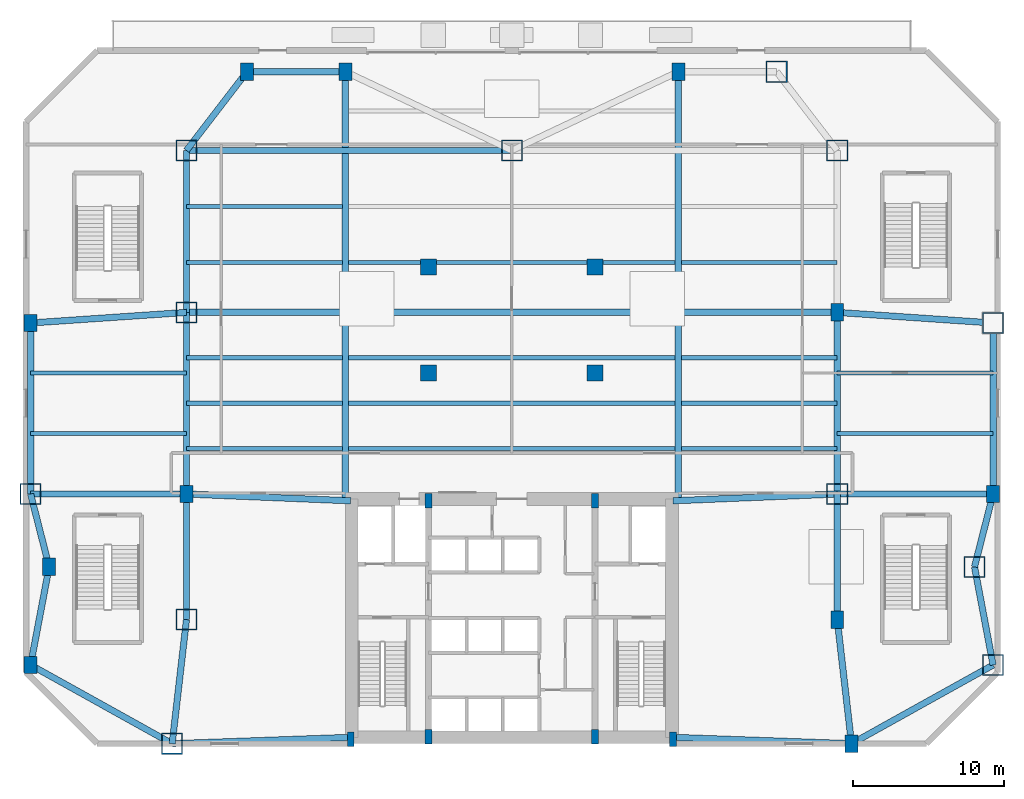
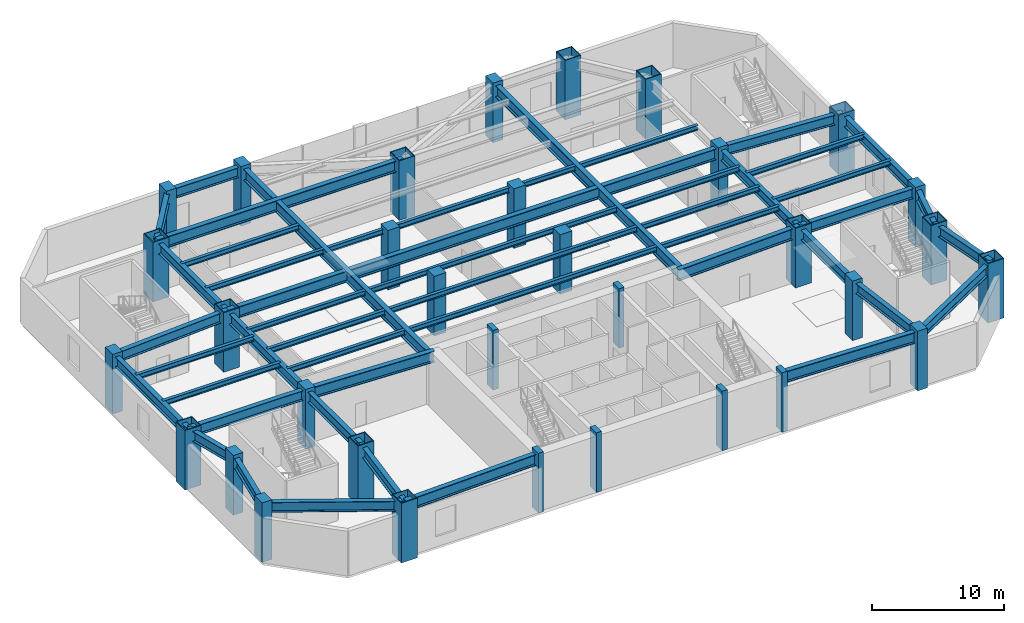
# One storey, part 1 of 9: 46 beams, 33 columns.
"""IFC4 building model written with IfcOpenShell, lengths in metres."""

from ifc_helpers import new_model, si_unit, direction, frame, origin, origin_2d, place, context, subcontext, project, spatial, rectangle, hollow_rectangle, i_section, extrude, source, transform, mapped, material, material_profile, profile_set, type_object, type_shapes, element, save


model = new_model("IFC4")

# Units and contexts
model_context = context("Model", 3, precision=1e-05, world=origin(), true_north=direction((0.0, 1.0)))
body_context = subcontext(model_context, "Body", "Model", "MODEL_VIEW")
ifc_project = project(units=[si_unit("LENGTHUNIT", "METRE"), si_unit("AREAUNIT", "SQUARE_METRE"), si_unit("VOLUMEUNIT", "CUBIC_METRE"), si_unit("PLANEANGLEUNIT", "RADIAN"), si_unit("MASSUNIT", "GRAM", prefix="KILO")], contexts=[model_context])

# Site, building, storey
site_placement = place(None, origin())
site = spatial("IfcSite", under=ifc_project, at=site_placement, CompositionType="ELEMENT")
building_placement = place(site_placement, origin())
building = spatial("IfcBuilding", under=site, at=building_placement, Name="Varnakhor Terracotta Tower", CompositionType="ELEMENT")
storey_placement = place(building_placement, frame((0.0, 0.0, 11.0)))
storey = spatial("IfcBuildingStorey", under=building, at=storey_placement, Name="L02", CompositionType="ELEMENT", Elevation=11.0)

# Columns
ifc_material_1 = material(Name="Concrete C50/60", Category="concrete")
ifc_material_profile_1 = material_profile(ifc_material_1, rectangle(XDim=0.449951171875, YDim=0.949951171875, at=origin_2d()), Name="RC PILASTER 950x450")
ifc_profile_set_1 = profile_set([ifc_material_profile_1], Name="Concrete C50/60")
column_type_1 = type_object("IfcColumnType", Name="COL-PIL-950x450", PredefinedType="PILASTER", material=ifc_profile_set_1)
shared_shape_1 = source(origin(), body_context, "Body", "SweptSolid", [
    extrude(rectangle(XDim=0.449951171875, YDim=0.949951171875, at=origin_2d()), origin(), (0.0, 0.0, 1.0), 5.5),
])
for number, where, z_axis, x_axis, name in (
    (1, (-10.64990234375, 0.300048828125, 0.0), (0.0, 0.0, 1.0), (1.0, 0.0, 0.0), "L02 Core Pilaster CP1"),
    (2, (-5.5, 0.449951171875, 0.0), (0.0, 0.0, 1.0), (1.0, 0.0, 0.0), "L02 Core Pilaster CP2"),
    (3, (5.5, 0.449951171875, 0.0), (0.0, 0.0, 1.0), (1.0, 0.0, 0.0), "L02 Core Pilaster CP3"),
    (4, (10.64990234375, 0.300048828125, 0.0), (0.0, 0.0, 1.0), (1.0, 0.0, 0.0), "L02 Core Pilaster CP4"),
    (5, (-5.5, 16.050048828125, 0.0), (0.0, 0.0, 1.0), (1.0, 0.0, 0.0), "L02 Core Pilaster CP5"),
    (6, (5.5, 16.050048828125, 0.0), (0.0, 0.0, 1.0), (1.0, 0.0, 0.0), "L02 Core Pilaster CP6"),
):
    element("IfcColumn", number, at=place(storey_placement, frame(where, z_axis=z_axis, x_axis=x_axis)), inside=storey, type_object=column_type_1, Name=name, PredefinedType="PILASTER", context=body_context, shape_type="MappedRepresentation", body=[
        mapped(shared_shape_1, transform((0.0, 0.0, 0.0), scale=1.0)),
    ])
ifc_material_2 = material(Name="Concrete C60/75", Category="concrete")
ifc_material_profile_2 = material_profile(ifc_material_2, rectangle(XDim=1.050048828125, YDim=1.050048828125, at=origin_2d()), Name="RC 1050x1050")
ifc_profile_set_2 = profile_set([ifc_material_profile_2], Name="Concrete C60/75")
column_type_2 = type_object("IfcColumnType", Name="COL-RC-1050", PredefinedType="COLUMN", material=ifc_profile_set_2)
shared_shape_2 = source(origin(), body_context, "Body", "SweptSolid", [
    extrude(rectangle(XDim=1.050048828125, YDim=1.050048828125, at=origin_2d()), origin(), (0.0, 0.0, 1.0), 5.5),
])
type_shapes(column_type_2, [shared_shape_2])
for number, where, z_axis, x_axis, name in (
    (7, (-5.5, 24.5, 0.0), (0.0, 0.0, 1.0), (1.0, 0.0, 0.0), "L02 Interior Plumb Tower Column I1"),
    (8, (5.5, 24.5, 0.0), (0.0, 0.0, 1.0), (1.0, 0.0, 0.0), "L02 Interior Plumb Tower Column I2"),
    (9, (-5.5, 31.5, 0.0), (0.0, 0.0, 1.0), (1.0, 0.0, 0.0), "L02 Interior Plumb Tower Column I3"),
    (10, (5.5, 31.5, 0.0), (0.0, 0.0, 1.0), (1.0, 0.0, 0.0), "L02 Interior Plumb Tower Column I4"),
):
    element("IfcColumn", number, at=place(storey_placement, frame(where, z_axis=z_axis, x_axis=x_axis)), inside=storey, type_object=column_type_2, Name=name, PredefinedType="COLUMN", context=body_context, shape_type="MappedRepresentation", body=[
        mapped(shared_shape_2, transform((0.0, 0.0, 0.0), scale=1.0)),
    ])
ifc_material_3 = material(Name="Steel S460", Category="steel")
ifc_material_profile_3 = material_profile(ifc_material_3, hollow_rectangle(XDim=1.39990234375, YDim=1.39990234375, WallThickness=0.070068359375, at=origin_2d()), Name="BOX 1400x1400x70")
ifc_profile_set_3 = profile_set([ifc_material_profile_3], Name="Steel S460")
column_type_3 = type_object("IfcColumnType", Name="COL-MEGA-1400", PredefinedType="COLUMN", material=ifc_profile_set_3)
shared_shape_3 = source(origin(), body_context, "Body", "SweptSolid", [
    extrude(hollow_rectangle(XDim=1.39990234375, YDim=1.39990234375, WallThickness=0.070068359375, at=origin_2d()), origin(), (0.0, 0.0, 1.0), 5.5),
])
for number, where, z_axis, x_axis, name in (
    (11, (-22.446044921875, 0.0, 0.0), (0.0, 0.0, 1.0), (1.0, 0.0, 0.0), "L02 Podium Column PC01"),
    (12, (-21.5, 8.199951171875, 0.0), (0.0, 0.0, 1.0), (1.0, 0.0, 0.0), "L02 Podium Column PC03"),
    (13, (-31.800048828125, 16.5, 0.0), (0.0, 0.0, 1.0), (1.0, 0.0, 0.0), "L02 Podium Column PC05"),
    (14, (-21.5, 28.5, 0.0), (0.0, 0.0, 1.0), (1.0, 0.0, 0.0), "L02 Podium Column PC07"),
    (15, (-21.5, 39.199951171875, 0.0), (0.0, 0.0, 1.0), (1.0, 0.0, 0.0), "L02 Podium Column PC09"),
    (16, (0.0, 39.199951171875, 0.0), (0.0, 0.0, 1.0), (1.0, 0.0, 0.0), "L02 Podium Column PC11"),
    (17, (21.5, 39.199951171875, 0.0), (0.0, 0.0, 1.0), (1.0, 0.0, 0.0), "L02 Podium Column PC13"),
    (18, (21.5, 16.5, 0.0), (0.0, 0.0, 1.0), (1.0, 0.0, 0.0), "L02 Podium Column PC15"),
    (19, (31.800048828125, 5.199951171875, 0.0), (0.0, 0.0, 1.0), (1.0, 0.0, 0.0), "L02 Podium Column PC17"),
    (20, (31.800048828125, 27.800048828125, 0.0), (0.0, 0.0, 1.0), (1.0, 0.0, 0.0), "L02 Podium Column PC19"),
    (21, (17.5, 44.39990234375, 0.0), (0.0, 0.0, 1.0), (1.0, 0.0, 0.0), "L02 Podium Column PC21"),
    (22, (30.572998046875, 11.68701171875, 0.0), (0.0, 0.0, 1.0), (1.0, 0.0, 0.0), "L02 Podium Column PC23"),
):
    element("IfcColumn", number, at=place(storey_placement, frame(where, z_axis=z_axis, x_axis=x_axis)), inside=storey, type_object=column_type_3, Name=name, PredefinedType="COLUMN", context=body_context, shape_type="MappedRepresentation", body=[
        mapped(shared_shape_3, transform((0.0, 0.0, 0.0), scale=1.0)),
    ])
ifc_material_profile_4 = material_profile(ifc_material_2, rectangle(XDim=0.85009765625, YDim=1.14990234375, at=origin_2d()), Name="RC 1150x850")
ifc_profile_set_4 = profile_set([ifc_material_profile_4], Name="Concrete C60/75")
column_type_4 = type_object("IfcColumnType", Name="COL-RC-1150x850", PredefinedType="COLUMN", material=ifc_profile_set_4)
shared_shape_4 = source(origin(), body_context, "Body", "SweptSolid", [
    extrude(rectangle(XDim=0.85009765625, YDim=1.14990234375, at=origin_2d()), origin(), (0.0, 0.0, 1.0), 5.5),
])
for number, where, z_axis, x_axis, name in (
    (23, (22.446044921875, 0.0, 0.0), (0.0, 0.0, 1.0), (1.0, 0.0, 0.0), "L02 Podium Column PC02"),
    (24, (21.5, 8.199951171875, 0.0), (0.0, 0.0, 1.0), (1.0, 0.0, 0.0), "L02 Podium Column PC04"),
    (25, (31.800048828125, 16.5, 0.0), (0.0, 0.0, 1.0), (1.0, 0.0, 0.0), "L02 Podium Column PC06"),
    (26, (21.5, 28.5, 0.0), (0.0, 0.0, 1.0), (1.0, 0.0, 0.0), "L02 Podium Column PC08"),
    (27, (-11.0, 44.39990234375, 0.0), (0.0, 0.0, 1.0), (1.0, 0.0, 0.0), "L02 Podium Column PC10"),
    (28, (11.0, 44.39990234375, 0.0), (0.0, 0.0, 1.0), (1.0, 0.0, 0.0), "L02 Podium Column PC12"),
    (29, (-21.5, 16.5, 0.0), (0.0, 0.0, 1.0), (1.0, 0.0, 0.0), "L02 Podium Column PC14"),
    (30, (-31.800048828125, 5.199951171875, 0.0), (0.0, 0.0, 1.0), (1.0, 0.0, 0.0), "L02 Podium Column PC16"),
    (31, (-31.800048828125, 27.800048828125, 0.0), (0.0, 0.0, 1.0), (1.0, 0.0, 0.0), "L02 Podium Column PC18"),
    (32, (-17.5, 44.39990234375, 0.0), (0.0, 0.0, 1.0), (1.0, 0.0, 0.0), "L02 Podium Column PC20"),
    (33, (-30.572998046875, 11.68701171875, 0.0), (0.0, 0.0, 1.0), (1.0, 0.0, 0.0), "L02 Podium Column PC22"),
):
    element("IfcColumn", number, at=place(storey_placement, frame(where, z_axis=z_axis, x_axis=x_axis)), inside=storey, type_object=column_type_4, Name=name, PredefinedType="COLUMN", context=body_context, shape_type="MappedRepresentation", body=[
        mapped(shared_shape_4, transform((0.0, 0.0, 0.0), scale=1.0)),
    ])

# Beams
ifc_material_4 = material(Name="Steel S355", Category="steel")
ifc_material_profile_5 = material_profile(ifc_material_4, i_section(OverallWidth=0.41796875, OverallDepth=0.927001953125, WebThickness=0.01904296875, FlangeThickness=0.031982421875, FilletRadius=0.01806640625, at=origin_2d()), Name="W36X231")
ifc_profile_set_5 = profile_set([ifc_material_profile_5], Name="Steel S355")
beam_type_1 = type_object("IfcBeamType", Name="BM-W36X231", PredefinedType="BEAM", material=ifc_profile_set_5)
shared_shape_5 = source(origin(), body_context, "Body", "SweptSolid", [
    extrude(i_section(OverallWidth=0.41796875, OverallDepth=0.927001953125, WebThickness=0.01904296875, FlangeThickness=0.031982421875, FilletRadius=0.01806640625, at=origin_2d()), origin(), (0.0, 0.0, 1.0), 8.25439453125),
])
type_shapes(beam_type_1, [shared_shape_5])
for number, where, z_axis, x_axis, name in (
    (34, (-22.446044921875, 0.0, 4.721435546875), (0.114611758944, 0.993410360683, 0.0), (-0.993410360683, 0.114611758944, 0.0), "L02 Podium Ring Girder 1"),
    (35, (21.5, 8.199951171875, 4.721435546875), (0.114611758944, -0.993410360683, 0.0), (0.993410360683, 0.114611758944, 0.0), "L02 Podium Ring Girder 14"),
):
    element("IfcBeam", number, at=place(storey_placement, frame(where, z_axis=z_axis, x_axis=x_axis)), inside=storey, type_object=beam_type_1, Name=name, PredefinedType="BEAM", context=body_context, shape_type="MappedRepresentation", body=[
        mapped(shared_shape_5, transform((0.0, 0.0, 0.0), scale=1.0)),
    ])
shared_shape_6 = source(origin(), body_context, "Body", "SweptSolid", [
    extrude(i_section(OverallWidth=0.41796875, OverallDepth=0.927001953125, WebThickness=0.01904296875, FlangeThickness=0.031982421875, FilletRadius=0.01806640625, at=origin_2d()), origin(), (0.0, 0.0, 1.0), 8.300048828125),
])
for number, where, z_axis, x_axis, name in (
    (36, (-21.5, 8.199951171875, 4.721435546875), (0.0, 1.0, 0.0), (-1.0, 0.0, 0.0), "L02 Podium Ring Girder 2"),
    (37, (21.5, 16.5, 4.721435546875), (0.0, -1.0, 0.0), (1.0, 0.0, 0.0), "L02 Podium Ring Girder 13"),
):
    element("IfcBeam", number, at=place(storey_placement, frame(where, z_axis=z_axis, x_axis=x_axis)), inside=storey, type_object=beam_type_1, Name=name, PredefinedType="BEAM", context=body_context, shape_type="MappedRepresentation", body=[
        mapped(shared_shape_6, transform((0.0, 0.0, 0.0), scale=1.0)),
    ])
shared_shape_7 = source(origin(), body_context, "Body", "SweptSolid", [
    extrude(i_section(OverallWidth=0.41796875, OverallDepth=0.927001953125, WebThickness=0.01904296875, FlangeThickness=0.031982421875, FilletRadius=0.01806640625, at=origin_2d()), origin(), (0.0, 0.0, 1.0), 12.0),
])
for number, where, z_axis, x_axis, name in (
    (38, (-21.5, 16.5, 4.721435546875), (0.0, 1.0, 0.0), (-1.0, 0.0, 0.0), "L02 Podium Ring Girder 3"),
    (39, (21.5, 28.5, 4.721435546875), (0.0, -1.0, 0.0), (1.0, 0.0, 0.0), "L02 Podium Ring Girder 12"),
):
    element("IfcBeam", number, at=place(storey_placement, frame(where, z_axis=z_axis, x_axis=x_axis)), inside=storey, type_object=beam_type_1, Name=name, PredefinedType="BEAM", context=body_context, shape_type="MappedRepresentation", body=[
        mapped(shared_shape_7, transform((0.0, 0.0, 0.0), scale=1.0)),
    ])
shared_shape_8 = source(origin(), body_context, "Body", "SweptSolid", [
    extrude(i_section(OverallWidth=0.41796875, OverallDepth=0.927001953125, WebThickness=0.01904296875, FlangeThickness=0.031982421875, FilletRadius=0.01806640625, at=origin_2d()), origin(), (0.0, 0.0, 1.0), 10.699951171875),
])
beam_1_placement = place(storey_placement, frame((-21.5, 28.5, 4.721435546875), z_axis=(0.0, 1.0, 0.0), x_axis=(-1.0, 0.0, 0.0)))
element("IfcBeam", 40, at=beam_1_placement, inside=storey, type_object=beam_type_1, Name="L02 Podium Ring Girder 4", PredefinedType="BEAM", context=body_context, shape_type="MappedRepresentation", body=[
    mapped(shared_shape_8, transform((0.0, 0.0, 0.0), scale=1.0)),
])
shared_shape_9 = source(origin(), body_context, "Body", "SweptSolid", [
    extrude(i_section(OverallWidth=0.41796875, OverallDepth=0.927001953125, WebThickness=0.01904296875, FlangeThickness=0.031982421875, FilletRadius=0.01806640625, at=origin_2d()), origin(), (0.0, 0.0, 1.0), 6.560546875),
])
beam_2_placement = place(storey_placement, frame((-21.5, 39.199951171875, 4.721435546875), z_axis=(0.609714357737, 0.792621222255, 0.0), x_axis=(-0.792621222255, 0.609714357737, 0.0)))
element("IfcBeam", 41, at=beam_2_placement, inside=storey, type_object=beam_type_1, Name="L02 Podium Ring Girder 5", PredefinedType="BEAM", context=body_context, shape_type="MappedRepresentation", body=[
    mapped(shared_shape_9, transform((0.0, 0.0, 0.0), scale=1.0)),
])
shared_shape_10 = source(origin(), body_context, "Body", "SweptSolid", [
    extrude(i_section(OverallWidth=0.41796875, OverallDepth=0.927001953125, WebThickness=0.01904296875, FlangeThickness=0.031982421875, FilletRadius=0.01806640625, at=origin_2d()), origin(), (0.0, 0.0, 1.0), 6.5),
])
beam_3_placement = place(storey_placement, frame((-17.5, 44.39990234375, 4.721435546875), z_axis=(1.0, 0.0, 0.0), x_axis=(0.0, 1.0, 0.0)))
element("IfcBeam", 42, at=beam_3_placement, inside=storey, type_object=beam_type_1, Name="L02 Podium Ring Girder 6", PredefinedType="BEAM", context=body_context, shape_type="MappedRepresentation", body=[
    mapped(shared_shape_10, transform((0.0, 0.0, 0.0), scale=1.0)),
])
shared_shape_11 = source(origin(), body_context, "Body", "SweptSolid", [
    extrude(i_section(OverallWidth=0.41796875, OverallDepth=0.927001953125, WebThickness=0.01904296875, FlangeThickness=0.031982421875, FilletRadius=0.01806640625, at=origin_2d()), origin(), (0.0, 0.0, 1.0), 10.7021484375),
])
for number, where, z_axis, x_axis, name in (
    (43, (-22.446044921875, 0.0, 4.721435546875), (-0.874027042936, 0.485877276909, 0.0), (-0.485877276909, -0.874027042936, 0.0), "L02 Podium Wing Girder OW1"),
    (44, (22.446044921875, 0.0, 4.721435546875), (0.874027042936, 0.485877276909, 0.0), (-0.485877276909, 0.874027042936, 0.0), "L02 Podium Wing Girder OE1"),
):
    element("IfcBeam", number, at=place(storey_placement, frame(where, z_axis=z_axis, x_axis=x_axis)), inside=storey, type_object=beam_type_1, Name=name, PredefinedType="BEAM", context=body_context, shape_type="MappedRepresentation", body=[
        mapped(shared_shape_11, transform((0.0, 0.0, 0.0), scale=1.0)),
    ])
shared_shape_12 = source(origin(), body_context, "Body", "SweptSolid", [
    extrude(i_section(OverallWidth=0.41796875, OverallDepth=0.927001953125, WebThickness=0.01904296875, FlangeThickness=0.031982421875, FilletRadius=0.01806640625, at=origin_2d()), origin(), (0.0, 0.0, 1.0), 6.60205078125),
])
for number, where, z_axis, x_axis, name in (
    (45, (-31.800048828125, 5.199951171875, 4.721435546875), (0.185857896361, 0.982576634345, 0.0), (-0.982576634345, 0.185857896361, 0.0), "L02 Podium Wing Girder OW2A"),
    (46, (31.800048828125, 5.199951171875, 4.721435546875), (-0.185857896361, 0.982576634345, 0.0), (-0.982576634345, -0.185857896361, 0.0), "L02 Podium Wing Girder OE2A"),
):
    element("IfcBeam", number, at=place(storey_placement, frame(where, z_axis=z_axis, x_axis=x_axis)), inside=storey, type_object=beam_type_1, Name=name, PredefinedType="BEAM", context=body_context, shape_type="MappedRepresentation", body=[
        mapped(shared_shape_12, transform((0.0, 0.0, 0.0), scale=1.0)),
    ])
shared_shape_13 = source(origin(), body_context, "Body", "SweptSolid", [
    extrude(i_section(OverallWidth=0.41796875, OverallDepth=0.927001953125, WebThickness=0.01904296875, FlangeThickness=0.031982421875, FilletRadius=0.01806640625, at=origin_2d()), origin(), (0.0, 0.0, 1.0), 4.967041015625),
])
for number, where, z_axis, x_axis, name in (
    (47, (-30.572998046875, 11.68701171875, 4.721435546875), (-0.247043524216, 0.969004384481, 0.0), (-0.969004384481, -0.247043524216, 0.0), "L02 Podium Wing Girder OW2B"),
    (48, (30.572998046875, 11.68701171875, 4.721435546875), (0.247043524216, 0.969004384481, 0.0), (-0.969004384481, 0.247043524216, 0.0), "L02 Podium Wing Girder OE2B"),
):
    element("IfcBeam", number, at=place(storey_placement, frame(where, z_axis=z_axis, x_axis=x_axis)), inside=storey, type_object=beam_type_1, Name=name, PredefinedType="BEAM", context=body_context, shape_type="MappedRepresentation", body=[
        mapped(shared_shape_13, transform((0.0, 0.0, 0.0), scale=1.0)),
    ])
shared_shape_14 = source(origin(), body_context, "Body", "SweptSolid", [
    extrude(i_section(OverallWidth=0.41796875, OverallDepth=0.927001953125, WebThickness=0.01904296875, FlangeThickness=0.031982421875, FilletRadius=0.01806640625, at=origin_2d()), origin(), (0.0, 0.0, 1.0), 11.300048828125),
])
for number, where, z_axis, x_axis, name in (
    (49, (-31.800048828125, 16.5, 4.721435546875), (0.0, 1.0, 0.0), (-1.0, 0.0, 0.0), "L02 Podium Wing Girder OW3"),
    (50, (31.800048828125, 16.5, 4.721435546875), (0.0, 1.0, 0.0), (-1.0, 0.0, 0.0), "L02 Podium Wing Girder OE3"),
):
    element("IfcBeam", number, at=place(storey_placement, frame(where, z_axis=z_axis, x_axis=x_axis)), inside=storey, type_object=beam_type_1, Name=name, PredefinedType="BEAM", context=body_context, shape_type="MappedRepresentation", body=[
        mapped(shared_shape_14, transform((0.0, 0.0, 0.0), scale=1.0)),
    ])
shared_shape_15 = source(origin(), body_context, "Body", "SweptSolid", [
    extrude(i_section(OverallWidth=0.41796875, OverallDepth=0.927001953125, WebThickness=0.01904296875, FlangeThickness=0.031982421875, FilletRadius=0.01806640625, at=origin_2d()), origin(), (0.0, 0.0, 1.0), 10.300048828125),
])
for number, where, z_axis, x_axis, name in (
    (51, (-21.5, 16.5, 4.721435546875), (-1.0, 0.0, 0.0), (0.0, -1.0, 0.0), "L02 Podium Wing Girder OW4"),
    (52, (21.5, 16.5, 4.721435546875), (1.0, 0.0, 0.0), (0.0, 1.0, 0.0), "L02 Podium Wing Girder OE4"),
):
    element("IfcBeam", number, at=place(storey_placement, frame(where, z_axis=z_axis, x_axis=x_axis)), inside=storey, type_object=beam_type_1, Name=name, PredefinedType="BEAM", context=body_context, shape_type="MappedRepresentation", body=[
        mapped(shared_shape_15, transform((0.0, 0.0, 0.0), scale=1.0)),
    ])
shared_shape_16 = source(origin(), body_context, "Body", "SweptSolid", [
    extrude(i_section(OverallWidth=0.41796875, OverallDepth=0.927001953125, WebThickness=0.01904296875, FlangeThickness=0.031982421875, FilletRadius=0.01806640625, at=origin_2d()), origin(), (0.0, 0.0, 1.0), 10.32373046875),
])
for number, where, z_axis, x_axis, name in (
    (53, (-21.5, 28.5, 4.721435546875), (-0.997698950759, -0.067799731964, 0.0), (0.067799731964, -0.997698950759, 0.0), "L02 Podium Wing Girder OW5"),
    (54, (21.5, 28.5, 4.721435546875), (0.997698950759, -0.067799731964, 0.0), (0.067799731964, 0.997698950759, 0.0), "L02 Podium Wing Girder OE5"),
):
    element("IfcBeam", number, at=place(storey_placement, frame(where, z_axis=z_axis, x_axis=x_axis)), inside=storey, type_object=beam_type_1, Name=name, PredefinedType="BEAM", context=body_context, shape_type="MappedRepresentation", body=[
        mapped(shared_shape_16, transform((0.0, 0.0, 0.0), scale=1.0)),
    ])
ifc_material_profile_6 = material_profile(ifc_material_3, i_section(OverallWidth=0.419921875, OverallDepth=1.0400390625, WebThickness=0.031005859375, FlangeThickness=0.055908203125, FilletRadius=0.01806640625, at=origin_2d()), Name="W40X397")
ifc_profile_set_6 = profile_set([ifc_material_profile_6], Name="Steel S460")
beam_type_2 = type_object("IfcBeamType", Name="BM-W40X397", PredefinedType="BEAM", material=ifc_profile_set_6)
shared_shape_17 = source(origin(), body_context, "Body", "SweptSolid", [
    extrude(i_section(OverallWidth=0.419921875, OverallDepth=1.0400390625, WebThickness=0.031005859375, FlangeThickness=0.055908203125, FilletRadius=0.01806640625, at=origin_2d()), origin(), (0.0, 0.0, 1.0), 11.8037109375),
])
type_shapes(beam_type_2, [shared_shape_17])
for number, where, z_axis, x_axis, name in (
    (55, (-22.446044921875, 0.0, 4.6650390625), (0.999366984345, 0.035575702404, 0.0), (-0.035575702404, 0.999366984345, 0.0), "L02 Podium Primary Girder GW1"),
    (56, (10.64990234375, 0.419921875, 4.6650390625), (0.999366984345, -0.035575702404, 0.0), (0.035575702404, 0.999366984345, 0.0), "L02 Podium Primary Girder GE1"),
):
    element("IfcBeam", number, at=place(storey_placement, frame(where, z_axis=z_axis, x_axis=x_axis)), inside=storey, type_object=beam_type_2, Name=name, PredefinedType="BEAM", context=body_context, shape_type="MappedRepresentation", body=[
        mapped(shared_shape_17, transform((0.0, 0.0, 0.0), scale=1.0)),
    ])
shared_shape_18 = source(origin(), body_context, "Body", "SweptSolid", [
    extrude(i_section(OverallWidth=0.419921875, OverallDepth=1.0400390625, WebThickness=0.031005859375, FlangeThickness=0.055908203125, FilletRadius=0.01806640625, at=origin_2d()), origin(), (0.0, 0.0, 1.0), 10.859375),
])
for number, where, z_axis, x_axis, name in (
    (57, (-21.5, 16.5, 4.6650390625), (0.99914123612, -0.041434168088, 0.0), (0.041434168088, 0.99914123612, 0.0), "L02 Podium Primary Girder GW2"),
    (58, (10.64990234375, 16.050048828125, 4.6650390625), (0.99914123612, 0.041434168088, 0.0), (-0.041434168088, 0.99914123612, 0.0), "L02 Podium Primary Girder GE2"),
):
    element("IfcBeam", number, at=place(storey_placement, frame(where, z_axis=z_axis, x_axis=x_axis)), inside=storey, type_object=beam_type_2, Name=name, PredefinedType="BEAM", context=body_context, shape_type="MappedRepresentation", body=[
        mapped(shared_shape_18, transform((0.0, 0.0, 0.0), scale=1.0)),
    ])
shared_shape_19 = source(origin(), body_context, "Body", "SweptSolid", [
    extrude(i_section(OverallWidth=0.419921875, OverallDepth=1.0400390625, WebThickness=0.031005859375, FlangeThickness=0.055908203125, FilletRadius=0.01806640625, at=origin_2d()), origin(), (0.0, 0.0, 1.0), 43.0),
])
beam_4_placement = place(storey_placement, frame((-21.5, 28.5, 4.6650390625), z_axis=(1.0, 0.0, 0.0), x_axis=(0.0, 1.0, 0.0)))
element("IfcBeam", 59, at=beam_4_placement, inside=storey, type_object=beam_type_2, Name="L02 Podium Primary Girder GN1", PredefinedType="BEAM", context=body_context, shape_type="MappedRepresentation", body=[
    mapped(shared_shape_19, transform((0.0, 0.0, 0.0), scale=1.0)),
])
shared_shape_20 = source(origin(), body_context, "Body", "SweptSolid", [
    extrude(i_section(OverallWidth=0.419921875, OverallDepth=1.0400390625, WebThickness=0.031005859375, FlangeThickness=0.055908203125, FilletRadius=0.01806640625, at=origin_2d()), origin(), (0.0, 0.0, 1.0), 21.5),
])
beam_5_placement = place(storey_placement, frame((-21.5, 39.199951171875, 4.6650390625), z_axis=(1.0, 0.0, 0.0), x_axis=(0.0, 1.0, 0.0)))
element("IfcBeam", 60, at=beam_5_placement, inside=storey, type_object=beam_type_2, Name="L02 Podium Primary Girder GN2", PredefinedType="BEAM", context=body_context, shape_type="MappedRepresentation", body=[
    mapped(shared_shape_20, transform((0.0, 0.0, 0.0), scale=1.0)),
])
shared_shape_21 = source(origin(), body_context, "Body", "SweptSolid", [
    extrude(i_section(OverallWidth=0.419921875, OverallDepth=1.0400390625, WebThickness=0.031005859375, FlangeThickness=0.055908203125, FilletRadius=0.01806640625, at=origin_2d()), origin(), (0.0, 0.0, 1.0), 28.349853515625),
])
for number, where, z_axis, x_axis, name in (
    (61, (-11.0, 16.050048828125, 4.6650390625), (0.0, 1.0, 0.0), (-1.0, 0.0, 0.0), "L02 Podium Primary Girder GNS-W"),
    (62, (11.0, 16.050048828125, 4.6650390625), (0.0, 1.0, 0.0), (-1.0, 0.0, 0.0), "L02 Podium Primary Girder GNS-E"),
):
    element("IfcBeam", number, at=place(storey_placement, frame(where, z_axis=z_axis, x_axis=x_axis)), inside=storey, type_object=beam_type_2, Name=name, PredefinedType="BEAM", context=body_context, shape_type="MappedRepresentation", body=[
        mapped(shared_shape_21, transform((0.0, 0.0, 0.0), scale=1.0)),
    ])
ifc_material_profile_7 = material_profile(ifc_material_4, i_section(OverallWidth=0.280029296875, OverallDepth=0.462890625, WebThickness=0.010986328125, FlangeThickness=0.01708984375, FilletRadius=0.01806640625, at=origin_2d()), Name="W18X76")
ifc_profile_set_7 = profile_set([ifc_material_profile_7], Name="Steel S355")
beam_type_3 = type_object("IfcBeamType", Name="JST-W18X76", PredefinedType="JOIST", material=ifc_profile_set_7)
shared_shape_22 = source(origin(), body_context, "Body", "SweptSolid", [
    extrude(i_section(OverallWidth=0.280029296875, OverallDepth=0.462890625, WebThickness=0.010986328125, FlangeThickness=0.01708984375, FilletRadius=0.01806640625, at=origin_2d()), origin(), (0.0, 0.0, 1.0), 10.2939453125),
])
type_shapes(beam_type_3, [shared_shape_22])
for number, where, z_axis, x_axis, name in (
    (63, (-21.5, 19.5, 4.95361328125), (1.0, 0.0, 0.0), (0.0, 1.0, 0.0), "L02 Podium Joist 1W"),
    (64, (11.2060546875, 19.5, 4.95361328125), (1.0, 0.0, 0.0), (0.0, 1.0, 0.0), "L02 Podium Joist 1E"),
    (65, (-21.5, 22.5, 4.95361328125), (1.0, 0.0, 0.0), (0.0, 1.0, 0.0), "L02 Podium Joist 2W"),
    (66, (11.2060546875, 22.5, 4.95361328125), (1.0, 0.0, 0.0), (0.0, 1.0, 0.0), "L02 Podium Joist 2E"),
    (67, (-21.5, 25.5, 4.95361328125), (1.0, 0.0, 0.0), (0.0, 1.0, 0.0), "L02 Podium Joist 3W"),
    (68, (11.2060546875, 25.5, 4.95361328125), (1.0, 0.0, 0.0), (0.0, 1.0, 0.0), "L02 Podium Joist 3E"),
    (69, (-21.5, 31.800048828125, 4.95361328125), (1.0, 0.0, 0.0), (0.0, 1.0, 0.0), "L02 Podium Joist 4W"),
    (70, (11.2060546875, 31.800048828125, 4.95361328125), (1.0, 0.0, 0.0), (0.0, 1.0, 0.0), "L02 Podium Joist 4E"),
    (71, (-21.5, 35.5, 4.95361328125), (1.0, 0.0, 0.0), (0.0, 1.0, 0.0), "L02 Podium Joist 5W"),
):
    element("IfcBeam", number, at=place(storey_placement, frame(where, z_axis=z_axis, x_axis=x_axis)), inside=storey, type_object=beam_type_3, Name=name, PredefinedType="JOIST", context=body_context, shape_type="MappedRepresentation", body=[
        mapped(shared_shape_22, transform((0.0, 0.0, 0.0), scale=1.0)),
    ])
shared_shape_23 = source(origin(), body_context, "Body", "SweptSolid", [
    extrude(i_section(OverallWidth=0.280029296875, OverallDepth=0.462890625, WebThickness=0.010986328125, FlangeThickness=0.01708984375, FilletRadius=0.01806640625, at=origin_2d()), origin(), (0.0, 0.0, 1.0), 21.587890625),
])
for number, where, z_axis, x_axis, name in (
    (72, (-10.7939453125, 19.5, 4.95361328125), (1.0, 0.0, 0.0), (0.0, 1.0, 0.0), "L02 Podium Joist 1C"),
    (73, (-10.7939453125, 22.5, 4.95361328125), (1.0, 0.0, 0.0), (0.0, 1.0, 0.0), "L02 Podium Joist 2C"),
    (74, (-10.7939453125, 25.5, 4.95361328125), (1.0, 0.0, 0.0), (0.0, 1.0, 0.0), "L02 Podium Joist 3C"),
    (75, (-10.7939453125, 31.800048828125, 4.95361328125), (1.0, 0.0, 0.0), (0.0, 1.0, 0.0), "L02 Podium Joist 4C"),
):
    element("IfcBeam", number, at=place(storey_placement, frame(where, z_axis=z_axis, x_axis=x_axis)), inside=storey, type_object=beam_type_3, Name=name, PredefinedType="JOIST", context=body_context, shape_type="MappedRepresentation", body=[
        mapped(shared_shape_23, transform((0.0, 0.0, 0.0), scale=1.0)),
    ])
shared_shape_24 = source(origin(), body_context, "Body", "SweptSolid", [
    extrude(i_section(OverallWidth=0.280029296875, OverallDepth=0.462890625, WebThickness=0.010986328125, FlangeThickness=0.01708984375, FilletRadius=0.01806640625, at=origin_2d()), origin(), (0.0, 0.0, 1.0), 10.300048828125),
])
for number, where, z_axis, x_axis, name in (
    (76, (-31.800048828125, 20.5, 4.95361328125), (1.0, 0.0, 0.0), (0.0, 1.0, 0.0), "L02 Wing Joist W3"),
    (77, (21.5, 20.5, 4.95361328125), (1.0, 0.0, 0.0), (0.0, 1.0, 0.0), "L02 Wing Joist E3"),
    (78, (-31.800048828125, 24.5, 4.95361328125), (1.0, 0.0, 0.0), (0.0, 1.0, 0.0), "L02 Wing Joist W4"),
    (79, (21.5, 24.5, 4.95361328125), (1.0, 0.0, 0.0), (0.0, 1.0, 0.0), "L02 Wing Joist E4"),
):
    element("IfcBeam", number, at=place(storey_placement, frame(where, z_axis=z_axis, x_axis=x_axis)), inside=storey, type_object=beam_type_3, Name=name, PredefinedType="JOIST", context=body_context, shape_type="MappedRepresentation", body=[
        mapped(shared_shape_24, transform((0.0, 0.0, 0.0), scale=1.0)),
    ])

save(model, "model.ifc")
